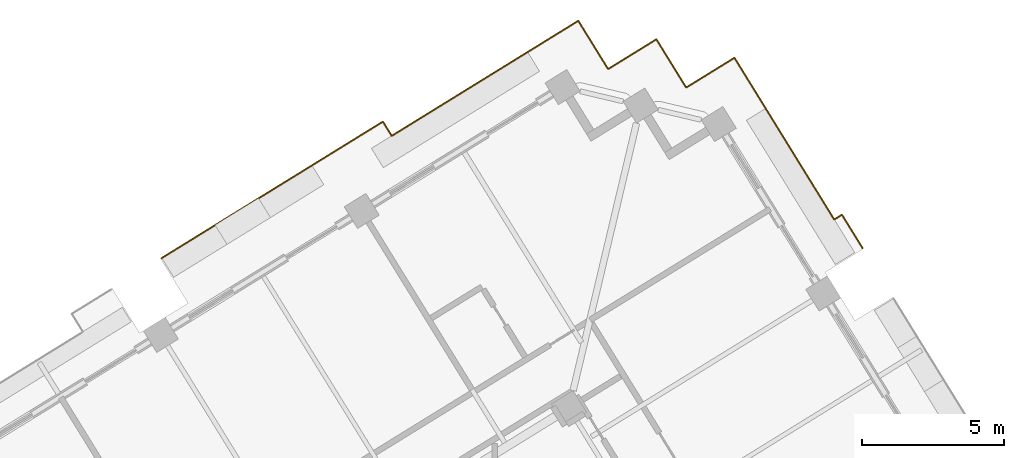
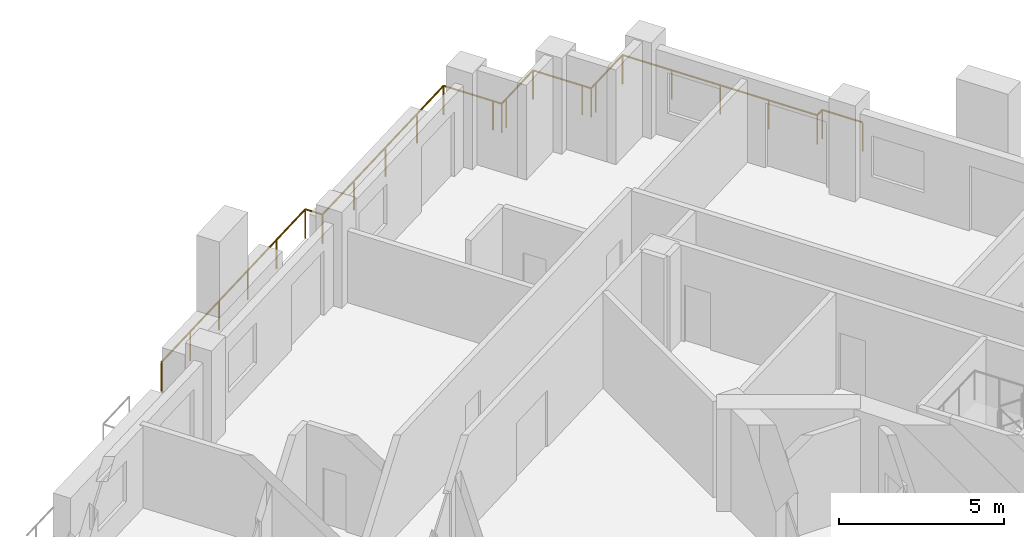
# One storey, part 21 of 22: 2 railings.
"""IFC4 building model written with IfcOpenShell, lengths in metres."""

from ifc_helpers import new_model, si_unit, direction, frame, origin, origin_2d, place, context, subcontext, project, spatial, circle, extrude, material, type_object, element, save


model = new_model("IFC4")

# Units and contexts
model_context = context("Model", 3, precision=1e-05, world=origin(), true_north=direction((0.0, 1.0)))
body_context = subcontext(model_context, "Body", "Model", "MODEL_VIEW")
ifc_project = project(units=[si_unit("LENGTHUNIT", "METRE"), si_unit("AREAUNIT", "SQUARE_METRE"), si_unit("VOLUMEUNIT", "CUBIC_METRE"), si_unit("PLANEANGLEUNIT", "RADIAN"), si_unit("MASSUNIT", "GRAM", prefix="KILO")], contexts=[model_context])

# Site, building, storey
site_placement = place(None, origin())
site = spatial("IfcSite", under=ifc_project, at=site_placement, CompositionType="ELEMENT")
building_placement = place(site_placement, origin())
building = spatial("IfcBuilding", under=site, at=building_placement, Name="Cantera Rosa Tower", CompositionType="ELEMENT")
storey_placement = place(building_placement, frame((0.0, 0.0, 162.800048828125)))
storey = spatial("IfcBuildingStorey", under=building, at=storey_placement, Name="L35", CompositionType="ELEMENT", Elevation=162.800048828125)

# Railings
ifc_material = material(Name="Stainless steel and laminated glass", Category="steel")
railing_type = type_object("IfcRailingType", Name="GUARD 1100", PredefinedType="BALUSTRADE", material=ifc_material)
railing_1_placement = place(storey_placement, frame((12.44873046875, 30.2958984375, 0.0)))
element("IfcRailing", 1, at=railing_1_placement, inside=storey, type_object=railing_type, Name="GUARD L35-6", PredefinedType="BALUSTRADE", context=body_context, shape_type="SweptSolid", body=[
    extrude(circle(Radius=0.030029296875, at=origin_2d()), frame((0.0, 0.0, 1.070068359375), z_axis=(0.524994468487, -0.851105638601, 0.0), x_axis=(0.851105638601, 0.524994468487, 0.0)), (0.0, 0.0, 1.0), 1.7001953125),
    extrude(circle(Radius=0.030029296875, at=origin_2d()), frame((0.892578125, -1.447021484375, 1.070068359375), z_axis=(0.524980117429, -0.851114490715, 0.0), x_axis=(0.851114490715, 0.524980117429, 0.0)), (0.0, 0.0, 1.0), 4.998291015625),
    extrude(circle(Radius=0.030029296875, at=origin_2d()), frame((3.5166015625, -5.701171875, 1.070068359375), z_axis=(0.851266981661, 0.524732813852, 0.0), x_axis=(-0.524732813852, 0.851266981661, 0.0)), (0.0, 0.0, 1.0), 0.321533203125),
    extrude(circle(Radius=0.030029296875, at=origin_2d()), frame((3.790283203125, -5.532470703125, 1.070068359375), z_axis=(0.524958614505, -0.851127753664, 0.0), x_axis=(0.851127753664, 0.524958614505, 0.0)), (0.0, 0.0, 1.0), 1.391357421875),
    extrude(circle(Radius=0.02490234375, at=origin_2d()), origin(), (0.0, 0.0, 1.0), 1.0400390625),
    extrude(circle(Radius=0.02490234375, at=origin_2d()), frame((0.892578125, -1.447021484375, 0.0)), (0.0, 0.0, 1.0), 1.0400390625),
    extrude(circle(Radius=0.02490234375, at=origin_2d()), frame((1.767333984375, -2.864990234375, 0.0)), (0.0, 0.0, 1.0), 1.0400390625),
    extrude(circle(Radius=0.02490234375, at=origin_2d()), frame((2.641845703125, -4.283203125, 0.0)), (0.0, 0.0, 1.0), 1.0400390625),
    extrude(circle(Radius=0.02490234375, at=origin_2d()), frame((3.5166015625, -5.701171875, 0.0)), (0.0, 0.0, 1.0), 1.0400390625),
    extrude(circle(Radius=0.02490234375, at=origin_2d()), frame((3.790283203125, -5.532470703125, 0.0)), (0.0, 0.0, 1.0), 1.0400390625),
    extrude(circle(Radius=0.02490234375, at=origin_2d()), frame((4.520751953125, -6.716796875, 0.0)), (0.0, 0.0, 1.0), 1.0400390625),
])
railing_2_placement = place(storey_placement, frame((-7.758056640625, 23.225830078125, 0.0)))
element("IfcRailing", 2, at=railing_2_placement, inside=storey, type_object=railing_type, Name="GUARD L35-7", PredefinedType="BALUSTRADE", context=body_context, shape_type="SweptSolid", body=[
    extrude(circle(Radius=0.030029296875, at=origin_2d()), frame((0.0, 0.0, 1.070068359375), z_axis=(0.851116410295, 0.524977005331, 0.0), x_axis=(-0.524977005331, 0.851116410295, 0.0)), (0.0, 0.0, 1.0), 9.1806640625),
    extrude(circle(Radius=0.030029296875, at=origin_2d()), frame((7.813720703125, 4.819580078125, 1.070068359375), z_axis=(0.525272898225, -0.850933829619, 0.0), x_axis=(0.850933829619, 0.525272898225, 0.0)), (0.0, 0.0, 1.0), 0.5908203125),
    extrude(circle(Radius=0.030029296875, at=origin_2d()), frame((8.1240234375, 4.31689453125, 1.070068359375), z_axis=(0.851111466066, 0.524985021054, 0.0), x_axis=(-0.524985021054, 0.851111466066, 0.0)), (0.0, 0.0, 1.0), 6.029296875),
    extrude(circle(Radius=0.030029296875, at=origin_2d()), frame((13.255615234375, 7.482177734375, 1.070068359375), z_axis=(0.851130227454, 0.524954603669, 0.0), x_axis=(-0.524954603669, 0.851130227454, 0.0)), (0.0, 0.0, 1.0), 1.699951171875),
    extrude(circle(Radius=0.030029296875, at=origin_2d()), frame((14.702392578125, 8.37451171875, 1.070068359375), z_axis=(0.525058638144, -0.851066052965, 0.0), x_axis=(0.851066052965, 0.525058638144, 0.0)), (0.0, 0.0, 1.0), 1.699951171875),
    extrude(circle(Radius=0.030029296875, at=origin_2d()), frame((15.594970703125, 6.927734375, 1.070068359375), z_axis=(0.524869051004, -0.85118298814, 0.0), x_axis=(0.85118298814, 0.524869051004, 0.0)), (0.0, 0.0, 1.0), 0.300048828125),
    extrude(circle(Radius=0.030029296875, at=origin_2d()), frame((15.75244140625, 6.67236328125, 1.070068359375), z_axis=(0.85118298814, 0.524869051004, 0.0), x_axis=(-0.524869051004, 0.85118298814, 0.0)), (0.0, 0.0, 1.0), 0.300048828125),
    extrude(circle(Radius=0.030029296875, at=origin_2d()), frame((16.0078125, 6.829833984375, 1.070068359375), z_axis=(0.851066052965, 0.525058638144, 0.0), x_axis=(-0.525058638144, 0.851066052965, 0.0)), (0.0, 0.0, 1.0), 1.699951171875),
    extrude(circle(Radius=0.030029296875, at=origin_2d()), frame((17.45458984375, 7.722412109375, 1.070068359375), z_axis=(0.524994468487, -0.851105638601, 0.0), x_axis=(0.851105638601, 0.524994468487, 0.0)), (0.0, 0.0, 1.0), 1.7001953125),
    extrude(circle(Radius=0.030029296875, at=origin_2d()), frame((18.34716796875, 6.275390625, 1.070068359375), z_axis=(0.524869051004, -0.85118298814, 0.0), x_axis=(0.85118298814, 0.524869051004, 0.0)), (0.0, 0.0, 1.0), 0.300048828125),
    extrude(circle(Radius=0.030029296875, at=origin_2d()), frame((18.504638671875, 6.02001953125, 1.070068359375), z_axis=(0.85118298814, 0.524869051004, 0.0), x_axis=(-0.524869051004, 0.85118298814, 0.0)), (0.0, 0.0, 1.0), 0.300048828125),
    extrude(circle(Radius=0.030029296875, at=origin_2d()), frame((18.760009765625, 6.177490234375, 1.070068359375), z_axis=(0.851066052965, 0.525058638144, 0.0), x_axis=(-0.525058638144, 0.851066052965, 0.0)), (0.0, 0.0, 1.0), 1.699951171875),
    extrude(circle(Radius=0.02490234375, at=origin_2d()), origin(), (0.0, 0.0, 1.0), 1.0400390625),
    extrude(circle(Radius=0.02490234375, at=origin_2d()), frame((1.562744140625, 0.9638671875, 0.0)), (0.0, 0.0, 1.0), 1.0400390625),
    extrude(circle(Radius=0.02490234375, at=origin_2d()), frame((3.12548828125, 1.927734375, 0.0)), (0.0, 0.0, 1.0), 1.0400390625),
    extrude(circle(Radius=0.02490234375, at=origin_2d()), frame((4.688232421875, 2.891845703125, 0.0)), (0.0, 0.0, 1.0), 1.0400390625),
    extrude(circle(Radius=0.02490234375, at=origin_2d()), frame((6.2509765625, 3.855712890625, 0.0)), (0.0, 0.0, 1.0), 1.0400390625),
    extrude(circle(Radius=0.02490234375, at=origin_2d()), frame((7.813720703125, 4.819580078125, 0.0)), (0.0, 0.0, 1.0), 1.0400390625),
    extrude(circle(Radius=0.02490234375, at=origin_2d()), frame((8.1240234375, 4.31689453125, 0.0)), (0.0, 0.0, 1.0), 1.0400390625),
    extrude(circle(Radius=0.02490234375, at=origin_2d()), frame((9.83447265625, 5.3720703125, 0.0)), (0.0, 0.0, 1.0), 1.0400390625),
    extrude(circle(Radius=0.02490234375, at=origin_2d()), frame((11.545166015625, 6.427001953125, 0.0)), (0.0, 0.0, 1.0), 1.0400390625),
    extrude(circle(Radius=0.02490234375, at=origin_2d()), frame((13.255615234375, 7.482177734375, 0.0)), (0.0, 0.0, 1.0), 1.0400390625),
    extrude(circle(Radius=0.02490234375, at=origin_2d()), frame((14.702392578125, 8.37451171875, 0.0)), (0.0, 0.0, 1.0), 1.0400390625),
    extrude(circle(Radius=0.02490234375, at=origin_2d()), frame((15.594970703125, 6.927734375, 0.0)), (0.0, 0.0, 1.0), 1.0400390625),
    extrude(circle(Radius=0.02490234375, at=origin_2d()), frame((15.75244140625, 6.67236328125, 0.0)), (0.0, 0.0, 1.0), 1.0400390625),
    extrude(circle(Radius=0.02490234375, at=origin_2d()), frame((16.0078125, 6.829833984375, 0.0)), (0.0, 0.0, 1.0), 1.0400390625),
    extrude(circle(Radius=0.02490234375, at=origin_2d()), frame((17.45458984375, 7.722412109375, 0.0)), (0.0, 0.0, 1.0), 1.0400390625),
    extrude(circle(Radius=0.02490234375, at=origin_2d()), frame((18.34716796875, 6.275390625, 0.0)), (0.0, 0.0, 1.0), 1.0400390625),
    extrude(circle(Radius=0.02490234375, at=origin_2d()), frame((18.504638671875, 6.02001953125, 0.0)), (0.0, 0.0, 1.0), 1.0400390625),
    extrude(circle(Radius=0.02490234375, at=origin_2d()), frame((18.760009765625, 6.177490234375, 0.0)), (0.0, 0.0, 1.0), 1.0400390625),
    extrude(circle(Radius=0.02490234375, at=origin_2d()), frame((20.206787109375, 7.070068359375, 0.0)), (0.0, 0.0, 1.0), 1.0400390625),
])

save(model, "model.ifc")
